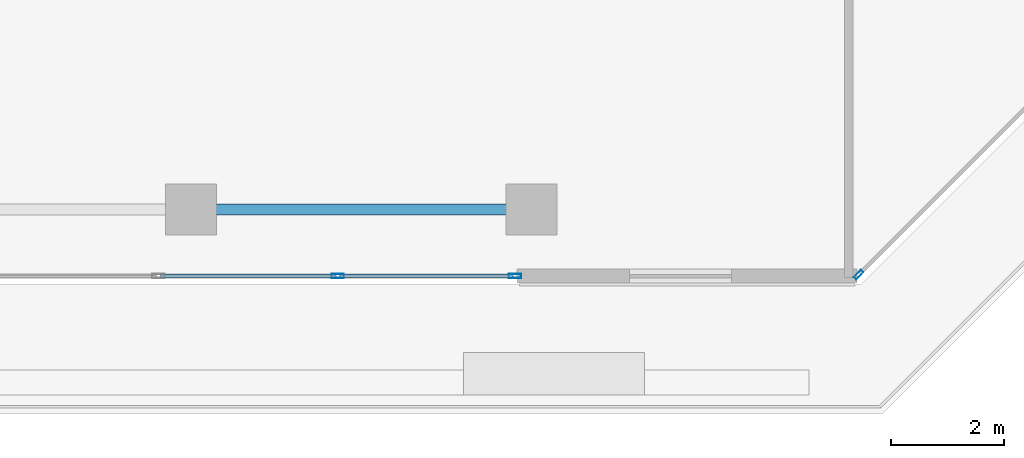
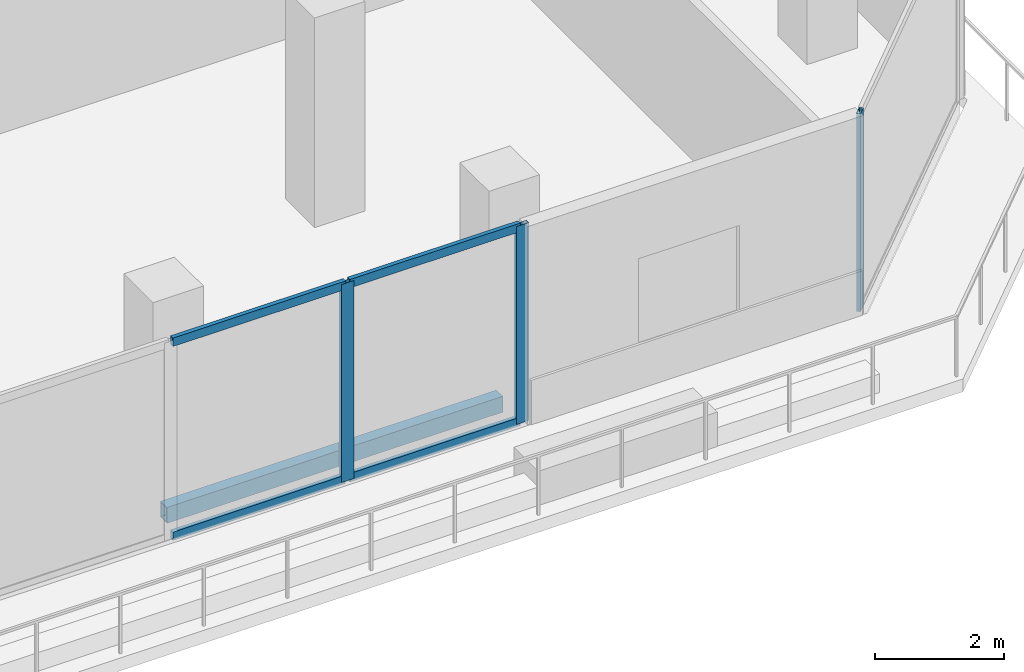
# One storey, part 15 of 30: 7 members, 1 beam, 2 elements without a shape of their own.
"""IFC4 building model written with IfcOpenShell, lengths in metres."""

import ifcopenshell
import ifcopenshell.guid

model = None  # the IFC model being written
_history = None  # IfcOwnerHistory: only IFC2X3 demands one
_inside = {}  # id of a spatial element -> (the spatial element, [elements in it])
_under = {}  # id of a project, library or spatial element -> (it, [spatial elements below it])
_declared = {}  # id of a project -> (the project, [libraries it declares])
_typed = {}  # id of a type object -> (the type object, [elements of that type])
_made_of = {}  # id of a material, layer set ... -> (it, [elements and type objects made of it])


def new_model(schema):
    """Start an empty IFC model of exactly this schema.

    Asked for "IFC4X3", IfcOpenShell would pick the latest addendum, in which some entities
    have other attributes; the version numbers below select the first issue.
    IFC2X3 requires an IfcOwnerHistory on every rooted entity: one is made here for all.
    """
    global model, _history
    if schema == "IFC4X3":
        model = ifcopenshell.file(schema_version=(4, 3, 0, 0))
    else:
        model = ifcopenshell.file(schema=schema)
    _inside.clear()
    _under.clear()
    _declared.clear()
    _typed.clear()
    _made_of.clear()
    _history = None
    if model.schema == "IFC2X3":
        org = make("IfcOrganization", Name="unknown")
        user = make(
            "IfcPersonAndOrganization",
            ThePerson=make("IfcPerson", FamilyName="unknown"),
            TheOrganization=org,
        )
        app = make(
            "IfcApplication",
            ApplicationDeveloper=org,
            Version="unknown",
            ApplicationFullName="unknown",
            ApplicationIdentifier="unknown",
        )
        _history = make(
            "IfcOwnerHistory",
            OwningUser=user,
            OwningApplication=app,
            ChangeAction="ADDED",
            CreationDate=0,
        )
    return model


def make(cls, **values):
    """One entity of the class cls with the attributes given. An attribute that is None is left unset."""
    return model.create_entity(
        cls, **{name: value for name, value in values.items() if value is not None}
    )


def rooted(cls, **values):
    """An entity with a GlobalId (a new one), such as an element, a storey or a relation."""
    return make(cls, GlobalId=ifcopenshell.guid.new(), OwnerHistory=_history, **values)


def si_unit(unit_type, name, prefix=None):
    """IfcSIUnit, for example si_unit("LENGTHUNIT", "METRE", prefix="MILLI")."""
    return make("IfcSIUnit", UnitType=unit_type, Prefix=prefix, Name=name)


def assignment(units):
    """IfcUnitAssignment: the units of a project."""
    return None if units is None else make("IfcUnitAssignment", Units=units)


def point(xyz):
    """IfcCartesianPoint."""
    return None if xyz is None else make("IfcCartesianPoint", Coordinates=xyz)


def direction(xyz):
    """IfcDirection."""
    return None if xyz is None else make("IfcDirection", DirectionRatios=xyz)


def frame(location, z_axis=None, x_axis=None):
    """IfcAxis2Placement3D, a coordinate frame: its origin and axes. An axis left out is left unset."""
    return make(
        "IfcAxis2Placement3D",
        Location=point(location),
        Axis=direction(z_axis),
        RefDirection=direction(x_axis),
    )


def frame_2d(location, x_axis=None):
    """IfcAxis2Placement2D, a coordinate frame in the plane: its origin and x axis."""
    return make(
        "IfcAxis2Placement2D", Location=point(location), RefDirection=direction(x_axis)
    )


def origin():
    """The frame at (0, 0, 0) with its axes left unset."""
    return frame((0.0, 0.0, 0.0))


def origin_2d():
    """The frame at (0, 0) in the plane with its x axis left unset."""
    return frame_2d((0.0, 0.0))


def place(relative_to, where):
    """IfcLocalPlacement: puts the frame where relative to a parent placement (None: the world)."""
    return make(
        "IfcLocalPlacement", PlacementRelTo=relative_to, RelativePlacement=where
    )


def context(
    kind, dimensions, precision=None, world=None, true_north=None, identifier=None
):
    """IfcGeometricRepresentationContext, for example the 3D "Model" context."""
    return make(
        "IfcGeometricRepresentationContext",
        ContextIdentifier=identifier,
        ContextType=kind,
        CoordinateSpaceDimension=dimensions,
        Precision=precision,
        WorldCoordinateSystem=world,
        TrueNorth=true_north,
    )


def subcontext(parent, identifier, kind, view, scale=None):
    """IfcGeometricRepresentationSubContext, for example "Body" below "Model"."""
    return make(
        "IfcGeometricRepresentationSubContext",
        ContextIdentifier=identifier,
        ContextType=kind,
        ParentContext=parent,
        TargetScale=scale,
        TargetView=view,
    )


def project(units=None, contexts=None):
    """IfcProject with its units and contexts."""
    return rooted(
        "IfcProject",
        Name="project",
        RepresentationContexts=contexts,
        UnitsInContext=assignment(units),
    )


def spatial(cls, under=None, at=None, **own):
    """A site, building, storey or space (cls), placed at a placement, below another one or the project."""
    s = rooted(cls, ObjectPlacement=at, **own)
    if under is not None:
        _under.setdefault(under.id(), (under, []))[1].append(s)
    return s


def profile(cls, at=None, kind="AREA", **sizes):
    """A parametric profile (cls). Its sizes go by their IFC names, for example OverallWidth=200.0."""
    return make(cls, ProfileType=kind, Position=at, **sizes)


def hollow_rectangle(**sizes):
    """IfcRectangleHollowProfileDef."""
    return profile("IfcRectangleHollowProfileDef", **sizes)


def extrude(swept, where, along, depth):
    """IfcExtrudedAreaSolid: the profile swept, set in the frame where, extruded along a direction by depth."""
    return make(
        "IfcExtrudedAreaSolid",
        SweptArea=swept,
        Position=where,
        ExtrudedDirection=direction(along),
        Depth=depth,
    )


def shape(context_of_items, identifier, shape_type, items):
    """IfcShapeRepresentation: the items that make up one representation, for example the "Body"."""
    return make(
        "IfcShapeRepresentation",
        ContextOfItems=context_of_items,
        RepresentationIdentifier=identifier,
        RepresentationType=shape_type,
        Items=items,
    )


def material(Name=None, Category=None):
    """IfcMaterial."""
    return make("IfcMaterial", Name=Name, Category=Category)


def layer(
    of_material, thickness, ventilated=None, Name=None, Category=None, Priority=None
):
    """IfcMaterialLayer: one layer of a wall or slab, of a material (None: an air gap)."""
    return make(
        "IfcMaterialLayer",
        Material=of_material,
        LayerThickness=thickness,
        IsVentilated=ventilated,
        Name=Name,
        Category=Category,
        Priority=Priority,
    )


def layer_set(layers, Name=None):
    """IfcMaterialLayerSet."""
    return make("IfcMaterialLayerSet", MaterialLayers=layers, LayerSetName=Name)


def material_profile(
    of_material, cross_section, Name=None, Category=None, Priority=None
):
    """IfcMaterialProfile: a cross section and its material."""
    return make(
        "IfcMaterialProfile",
        Name=Name,
        Material=of_material,
        Profile=cross_section,
        Priority=Priority,
        Category=Category,
    )


def profile_set(profiles, Name=None, composite=None):
    """IfcMaterialProfileSet."""
    return make(
        "IfcMaterialProfileSet",
        Name=Name,
        MaterialProfiles=profiles,
        CompositeProfile=composite,
    )


def made_of(thing, what):
    """Note that an element or type object is made of a material, layer set ...; save() writes the relation."""
    if what is not None:
        _made_of.setdefault(what.id(), (what, []))[1].append(thing)
    return thing


def type_object(cls, material=None, **own):
    """A type object (cls), such as IfcWallType, which elements share."""
    return made_of(rooted(cls, **own), material)


def element(
    cls,
    number,
    at=None,
    inside=None,
    cuts=None,
    type_object=None,
    material=None,
    context=None,
    identifier="Body",
    shape_type=None,
    held_by="IfcProductDefinitionShape",
    body=None,
    shapes=None,
    **own,
):
    """One element of the class cls, such as IfcWall. Its Tag is "e" and its number.

    at: its placement. inside: the storey or other place that contains it. cuts: it is an
    opening in that element (IfcRelVoidsElement). A single representation is given by context,
    identifier, shape_type and body (its items); several are given by shapes. held_by: the class
    of the entity that holds the representations. save() writes the other relations.
    """
    e = rooted(cls, Tag="e%d" % number, ObjectPlacement=at, **own)
    if body is not None:
        shapes = [shape(context, identifier, shape_type, body)]
    if shapes is not None:
        e.Representation = make(held_by, Representations=shapes)
    if inside is not None:
        _inside.setdefault(inside.id(), (inside, []))[1].append(e)
    if cuts is not None:
        rooted(
            "IfcRelVoidsElement", RelatingBuildingElement=cuts, RelatedOpeningElement=e
        )
    if type_object is not None:
        _typed.setdefault(type_object.id(), (type_object, []))[1].append(e)
    return made_of(e, material)


def aggregate(whole, parts):
    """IfcRelAggregates: a whole, such as a stair, and the parts it consists of."""
    return rooted("IfcRelAggregates", RelatingObject=whole, RelatedObjects=parts)


def save(model, path):
    """Write the relations noted so far, then the file.

    IfcRelAggregates (storeys below a building ...), IfcRelContainedInSpatialStructure (elements
    in a storey), IfcRelDefinesByType, IfcRelAssociatesMaterial and IfcRelDeclares: one each for
    every whole, place, type object, material and project.
    """
    for whole, parts in _under.values():
        aggregate(whole, parts)
    for where, things in _inside.values():
        rooted(
            "IfcRelContainedInSpatialStructure",
            RelatedElements=things,
            RelatingStructure=where,
        )
    for kind, things in _typed.values():
        rooted("IfcRelDefinesByType", RelatedObjects=things, RelatingType=kind)
    for what, things in _made_of.values():
        rooted("IfcRelAssociatesMaterial", RelatedObjects=things, RelatingMaterial=what)
    for by, libraries in _declared.values():
        rooted("IfcRelDeclares", RelatingContext=by, RelatedDefinitions=libraries)
    model.write(path)


model = new_model("IFC4")

# Units and contexts
model_context = context("Model", 3, precision=1e-05, world=origin(), true_north=direction((0.0, 1.0)))
body_context = subcontext(model_context, "Body", "Model", "MODEL_VIEW")
ifc_project = project(units=[si_unit("LENGTHUNIT", "METRE"), si_unit("AREAUNIT", "SQUARE_METRE"), si_unit("VOLUMEUNIT", "CUBIC_METRE"), si_unit("PLANEANGLEUNIT", "RADIAN"), si_unit("MASSUNIT", "GRAM", prefix="KILO")], contexts=[model_context])

# Site, building, storey
site_placement = place(None, origin())
site = spatial("IfcSite", under=ifc_project, at=site_placement, CompositionType="ELEMENT")
building_placement = place(site_placement, origin())
building = spatial("IfcBuilding", under=site, at=building_placement, Name="Tanjung Sevakor Pilgrim Tower", CompositionType="ELEMENT")
storey_placement = place(building_placement, frame((0.0, 0.0, 128.0400390625)))
storey = spatial("IfcBuildingStorey", under=building, at=storey_placement, Name="L35", CompositionType="ELEMENT", Elevation=128.0400390625)

# Beam
ifc_material_1 = material(Name="Steel S355J2", Category="steel")
ifc_material_profile_1 = material_profile(ifc_material_1, hollow_rectangle(XDim=0.199951171875, YDim=0.300048828125, WallThickness=0.012451171875, at=origin_2d()))
ifc_profile_set_1 = profile_set([ifc_material_profile_1], Name="Steel S355J2")
beam_type = type_object("IfcBeamType", Name="BM-B-SP3-RHS_300x200x12.5", PredefinedType="SPANDREL", material=ifc_profile_set_1)
beam_placement = place(storey_placement, frame((84.0, 13.199951171875, -0.429931640625), z_axis=(1.0, 0.0, 0.0), x_axis=(0.0, 1.0, 0.0)))
element("IfcBeam", 1, at=beam_placement, inside=storey, type_object=beam_type, Name="L35 Spandrel MAIN S-17", PredefinedType="SPANDREL", context=body_context, shape_type="SweptSolid", body=[
    extrude(hollow_rectangle(XDim=0.199951171875, YDim=0.300048828125, WallThickness=0.012451171875, at=origin_2d()), origin(), (0.0, 0.0, 1.0), 6.0),
])

# Curtain wall, member
ifc_material_2 = material(Name="Aluminium 6063-T6 and Low-E Glass", Category="aluminium")
ifc_layer_1 = layer(ifc_material_2, 0.179931640625)
ifc_layer_set_1 = layer_set([ifc_layer_1], Name="CW-SYS-CHAM")
curtain_wall_type_1 = type_object("IfcCurtainWallType", Name="CW-SYS-CHAM", PredefinedType="NOTDEFINED", material=ifc_layer_set_1)
curtain_wall_1_placement = place(storey_placement, origin())
curtain_wall_1 = element("IfcCurtainWall", 2, at=curtain_wall_1_placement, inside=storey, type_object=curtain_wall_type_1, Name="L35 Curtain Wall CW-CHM-L35-MAIN-5", PredefinedType="NOTDEFINED")
ifc_material_3 = material(Name="Aluminium 6063-T6", Category="aluminium")
ifc_material_profile_2 = material_profile(ifc_material_3, hollow_rectangle(XDim=0.06494140625, YDim=0.179931640625, WallThickness=0.00390625, at=origin_2d()))
ifc_profile_set_2 = profile_set([ifc_material_profile_2], Name="Aluminium 6063-T6")
member_type_1 = type_object("IfcMemberType", Name="TYPE-CWM-1", PredefinedType="MULLION", material=ifc_profile_set_2)
member_1_placement = place(storey_placement, frame((95.771240234375, 12.048095703125, 0.0), z_axis=(0.0, 0.0, 1.0), x_axis=(-0.707106781187, 0.707106781187, 0.0)))
member_1 = element("IfcMember", 3, at=member_1_placement, type_object=member_type_1, Name="CW-CHM mullion 1", PredefinedType="MULLION", context=body_context, shape_type="SweptSolid", body=[
    extrude(hollow_rectangle(XDim=0.06494140625, YDim=0.179931640625, WallThickness=0.00390625, at=origin_2d()), origin(), (0.0, 0.0, 1.0), 3.739990234375),
])
aggregate(curtain_wall_1, [member_1])

# Curtain wall, members
ifc_material_4 = material(Name="Aluminium 6063-T6 and Low-E Glass", Category="aluminium")
ifc_layer_2 = layer(ifc_material_4, 0.199951171875)
ifc_layer_set_2 = layer_set([ifc_layer_2], Name="CW-SYS-SKY")
curtain_wall_type_2 = type_object("IfcCurtainWallType", Name="CW-SYS-SKY", PredefinedType="NOTDEFINED", material=ifc_layer_set_2)
curtain_wall_2_placement = place(storey_placement, origin())
curtain_wall_2 = element("IfcCurtainWall", 4, at=curtain_wall_2_placement, inside=storey, type_object=curtain_wall_type_2, Name="L35 Curtain Wall CW-SKY-L35-S", PredefinedType="NOTDEFINED")
ifc_material_5 = material(Name="Aluminium 6063-T6", Category="aluminium")
ifc_material_profile_3 = material_profile(ifc_material_5, hollow_rectangle(XDim=0.074951171875, YDim=0.219970703125, WallThickness=0.0048828125, at=origin_2d()))
ifc_profile_set_3 = profile_set([ifc_material_profile_3], Name="Aluminium 6063-T6")
member_type_2 = type_object("IfcMemberType", Name="TYPE-CWM-2", PredefinedType="MULLION", material=ifc_profile_set_3)
member_2_placement = place(storey_placement, frame((86.5859375, 12.02490234375, 0.0), z_axis=(0.0, 0.0, 1.0), x_axis=(0.0, 1.0, 0.0)))
member_2 = element("IfcMember", 5, at=member_2_placement, type_object=member_type_2, Name="CW-SKY mullion 10", PredefinedType="MULLION", context=body_context, shape_type="SweptSolid", body=[
    extrude(hollow_rectangle(XDim=0.074951171875, YDim=0.219970703125, WallThickness=0.0048828125, at=origin_2d()), origin(), (0.0, 0.0, 1.0), 3.739990234375),
])
member_3_placement = place(storey_placement, frame((89.710693359375, 12.02490234375, 0.0), z_axis=(0.0, 0.0, 1.0), x_axis=(0.0, 1.0, 0.0)))
member_3 = element("IfcMember", 6, at=member_3_placement, type_object=member_type_2, Name="CW-SKY mullion 11", PredefinedType="MULLION", context=body_context, shape_type="SweptSolid", body=[
    extrude(hollow_rectangle(XDim=0.074951171875, YDim=0.219970703125, WallThickness=0.0048828125, at=origin_2d()), origin(), (0.0, 0.0, 1.0), 3.739990234375),
])
ifc_material_6 = material(Name="Aluminium 6063-T6", Category="aluminium")
ifc_material_profile_4 = material_profile(ifc_material_6, hollow_rectangle(XDim=0.074951171875, YDim=0.159912109375, WallThickness=0.00439453125, at=origin_2d()))
ifc_profile_set_4 = profile_set([ifc_material_profile_4], Name="Aluminium 6063-T6")
member_type_3 = type_object("IfcMemberType", Name="TYPE-CWT-2", PredefinedType="USERDEFINED", material=ifc_profile_set_4)
member_4_placement = place(storey_placement, frame((83.461181640625, 12.02490234375, 0.037353515625), z_axis=(1.0, 0.0, 0.0), x_axis=(0.0, 1.0, 0.0)))
member_4 = element("IfcMember", 7, at=member_4_placement, type_object=member_type_3, Name="CW-SKY transom 9.1", ObjectType="TRANSOM", PredefinedType="USERDEFINED", context=body_context, shape_type="SweptSolid", body=[
    extrude(hollow_rectangle(XDim=0.074951171875, YDim=0.159912109375, WallThickness=0.00439453125, at=origin_2d()), origin(), (0.0, 0.0, 1.0), 3.087158203125),
])
member_5_placement = place(storey_placement, frame((83.461181640625, 12.02490234375, 3.702392578125), z_axis=(1.0, 0.0, 0.0), x_axis=(0.0, 1.0, 0.0)))
member_5 = element("IfcMember", 8, at=member_5_placement, type_object=member_type_3, Name="CW-SKY transom 9.2", ObjectType="TRANSOM", PredefinedType="USERDEFINED", context=body_context, shape_type="SweptSolid", body=[
    extrude(hollow_rectangle(XDim=0.074951171875, YDim=0.159912109375, WallThickness=0.00439453125, at=origin_2d()), origin(), (0.0, 0.0, 1.0), 3.087158203125),
])
member_6_placement = place(storey_placement, frame((86.623291015625, 12.02490234375, 0.037353515625), z_axis=(1.0, 0.0, 0.0), x_axis=(0.0, 1.0, 0.0)))
member_6 = element("IfcMember", 9, at=member_6_placement, type_object=member_type_3, Name="CW-SKY transom 10.1", ObjectType="TRANSOM", PredefinedType="USERDEFINED", context=body_context, shape_type="SweptSolid", body=[
    extrude(hollow_rectangle(XDim=0.074951171875, YDim=0.159912109375, WallThickness=0.00439453125, at=origin_2d()), origin(), (0.0, 0.0, 1.0), 3.0498046875),
])
member_7_placement = place(storey_placement, frame((86.623291015625, 12.02490234375, 3.702392578125), z_axis=(1.0, 0.0, 0.0), x_axis=(0.0, 1.0, 0.0)))
member_7 = element("IfcMember", 10, at=member_7_placement, type_object=member_type_3, Name="CW-SKY transom 10.2", ObjectType="TRANSOM", PredefinedType="USERDEFINED", context=body_context, shape_type="SweptSolid", body=[
    extrude(hollow_rectangle(XDim=0.074951171875, YDim=0.159912109375, WallThickness=0.00439453125, at=origin_2d()), origin(), (0.0, 0.0, 1.0), 3.0498046875),
])
aggregate(curtain_wall_2, [member_2, member_3, member_4, member_5, member_6, member_7])

save(model, "model.ifc")
